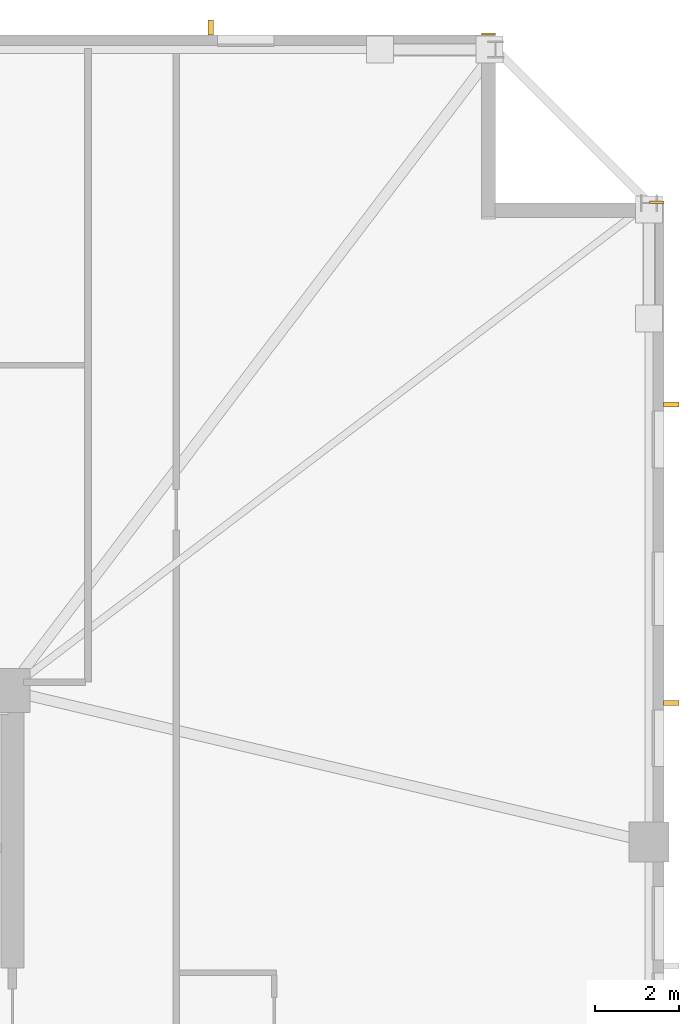
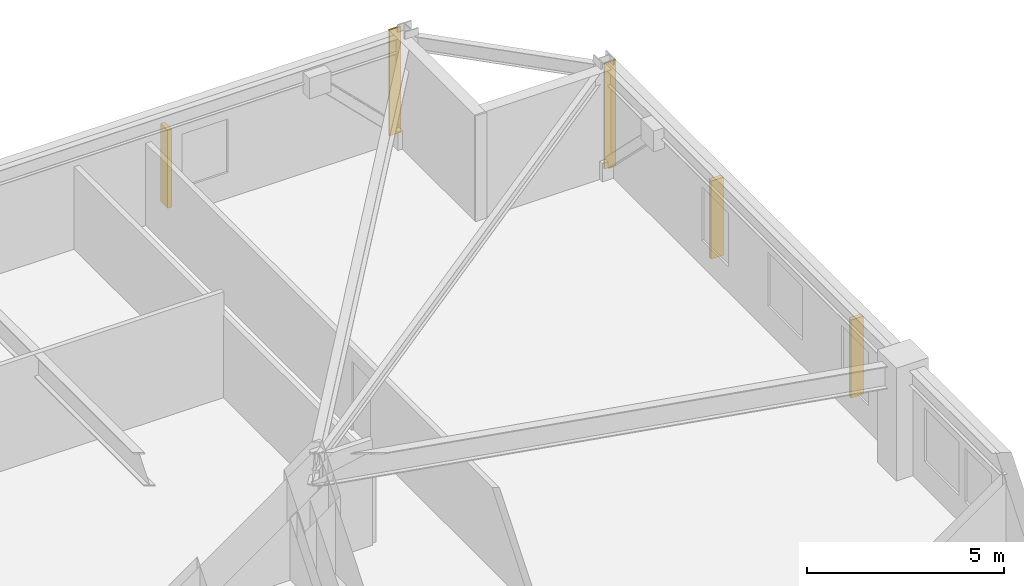
# One storey, part 11 of 11: 3 shading devices, 2 coverings.
"""IFC4 building model written with IfcOpenShell, lengths in metres."""

from ifc_helpers import new_model, si_unit, direction, frame, frame_2d, origin, origin_2d, place, context, subcontext, project, spatial, rectangle, extrude, material, layer, layer_set, type_object, element, save


model = new_model("IFC4")

# Units and contexts
model_context = context("Model", 3, precision=1e-05, world=origin(), true_north=direction((0.0, 1.0)))
body_context = subcontext(model_context, "Body", "Model", "MODEL_VIEW")
ifc_project = project(units=[si_unit("LENGTHUNIT", "METRE"), si_unit("AREAUNIT", "SQUARE_METRE"), si_unit("VOLUMEUNIT", "CUBIC_METRE"), si_unit("PLANEANGLEUNIT", "RADIAN"), si_unit("MASSUNIT", "GRAM", prefix="KILO")], contexts=[model_context])

# Site, building, storey
site_placement = place(None, origin())
site = spatial("IfcSite", under=ifc_project, at=site_placement, CompositionType="ELEMENT")
building_placement = place(site_placement, origin())
building = spatial("IfcBuilding", under=site, at=building_placement, Name="Cairnveth Concourse Tower", CompositionType="ELEMENT")
storey_placement = place(building_placement, frame((0.0, 0.0, 120.0)))
storey = spatial("IfcBuildingStorey", under=building, at=storey_placement, Name="L32", CompositionType="ELEMENT", Elevation=120.0)

# Coverings
ifc_material_1 = material(Name="Dressed Melbourne Bluestone Cladding", Category="masonry")
ifc_layer = layer(ifc_material_1, 0.050048828125)
ifc_layer_set = layer_set([ifc_layer], Name="Dressed Melbourne Bluestone Cladding")
covering_type = type_object("IfcCoveringType", Name="DRESSED BLUESTONE PLINTH CLADDING 50", PredefinedType="CLADDING", material=ifc_layer_set)
for number, where, z_axis, x_axis, name in (
    (1, (71.659912109375, 63.02001953125, 0.0), (0.0, 0.0, 1.0), (1.0, 0.0, 0.0), "Melbourne Bluestone Corner Quoin L32-455"),
    (2, (75.659912109375, 59.02001953125, 0.0), (0.0, 0.0, 1.0), (1.0, 0.0, 0.0), "Melbourne Bluestone Corner Quoin L32-457"),
):
    element("IfcCovering", number, at=place(storey_placement, frame(where, z_axis=z_axis, x_axis=x_axis)), inside=storey, type_object=covering_type, Name=name, PredefinedType="CLADDING", context=body_context, shape_type="SweptSolid", body=[
        extrude(rectangle(XDim=0.340087890625, YDim=0.050048828125, at=frame_2d((0.169921875, 0.0))), origin(), (0.0, 0.0, 1.0), 3.280029296875),
    ])

# Shading devices
ifc_material_2 = material(Name="Architectural Bronze Anodised Aluminium 6063-T6", Category="aluminium")
shading_device_type = type_object("IfcShadingDeviceType", Name="GOTHIC BRONZE VERTICAL LANCET FIN", PredefinedType="USERDEFINED", material=ifc_material_2)
for number, where, z_axis, x_axis, name in (
    (3, (65.22021484375, 63.175048828125, 0.030029296875), (0.0, 0.0, 1.0), (1.0, 0.0, 0.0), "Gothic Bronze Vertical Fin L32-3-9"),
    (4, (76.175048828125, 54.208251953125, 0.030029296875), (0.0, 0.0, 1.0), (0.0, 1.0, 0.0), "Gothic Bronze Vertical Fin L32-6-1"),
    (5, (76.175048828125, 47.10107421875, 0.030029296875), (0.0, 0.0, 1.0), (0.0, 1.0, 0.0), "Gothic Bronze Vertical Fin L32-6-3"),
):
    element("IfcShadingDevice", number, at=place(storey_placement, frame(where, z_axis=z_axis, x_axis=x_axis)), inside=storey, type_object=shading_device_type, Name=name, ObjectType="VERTICAL FIN", PredefinedType="USERDEFINED", context=body_context, shape_type="SweptSolid", body=[
        extrude(rectangle(XDim=0.1201171875, YDim=0.360107421875, at=origin_2d()), origin(), (0.0, 0.0, 1.0), 2.419921875),
    ])

save(model, "model.ifc")
